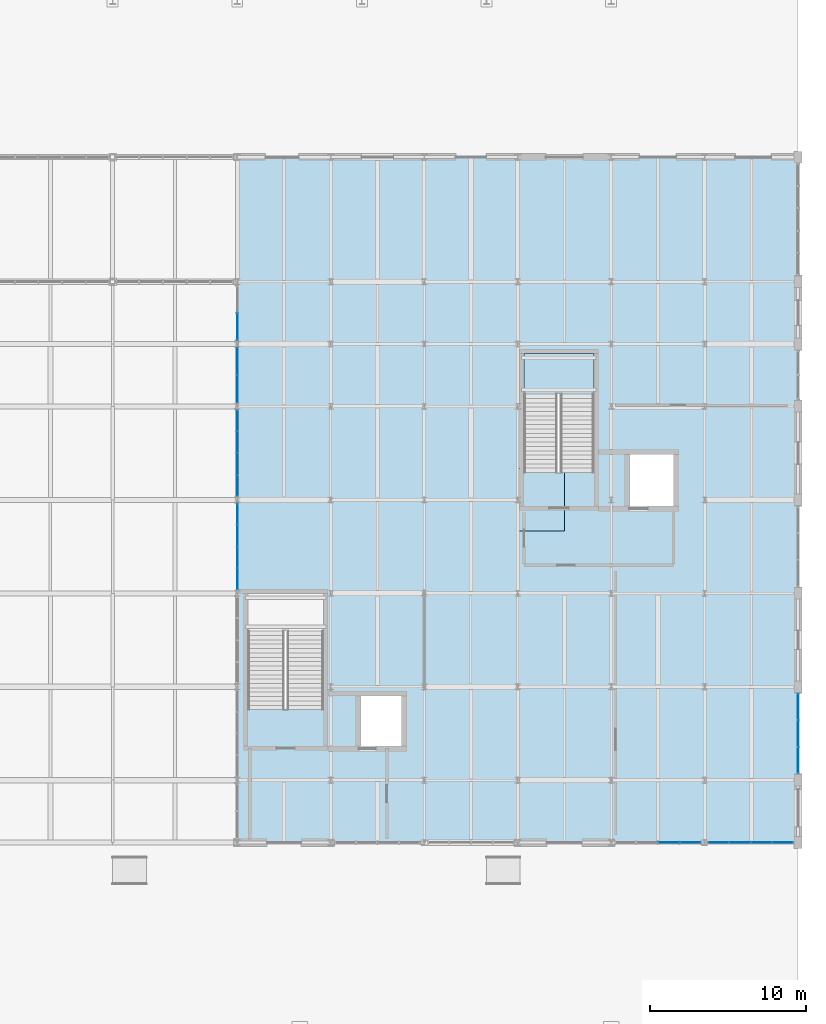
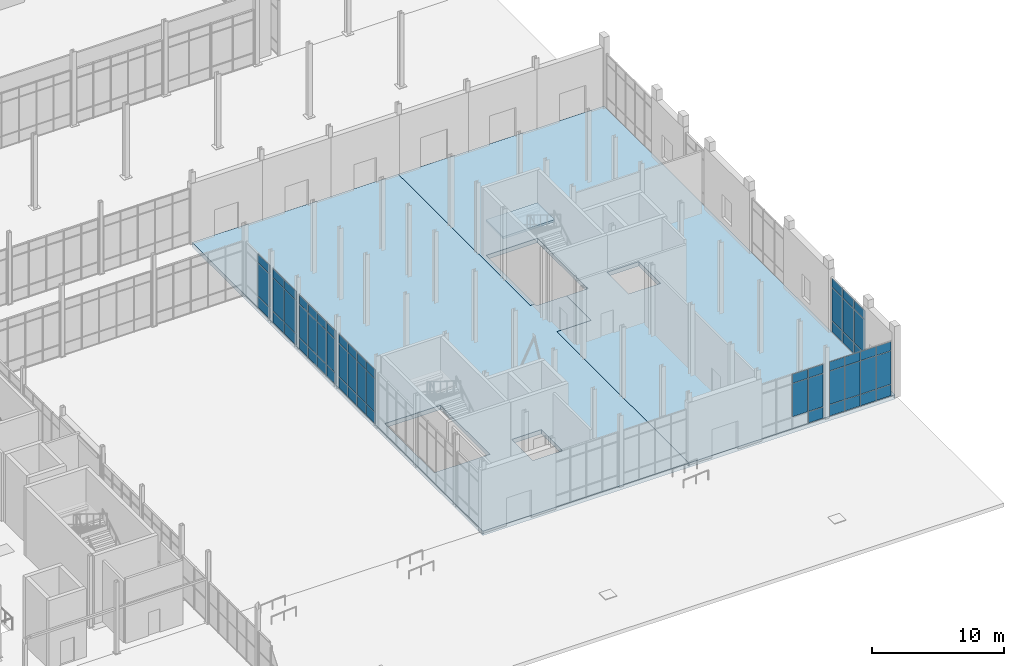
# One storey, part 107 of 140: 59 plates, 3 slabs, 8 elements without a shape of their own.
"""IFC4 building model written with IfcOpenShell, lengths in metres."""

from ifc_helpers import new_model, si_unit, direction, frame, origin, origin_2d, place, context, subcontext, project, spatial, polyline, rectangle, outline, extrude, material, layer, layer_set, type_object, element, aggregate, save


model = new_model("IFC4")

# Units and contexts
model_context = context("Model", 3, precision=1e-05, world=origin(), true_north=direction((0.0, 1.0)))
body_context = subcontext(model_context, "Body", "Model", "MODEL_VIEW")
ifc_project = project(units=[si_unit("LENGTHUNIT", "METRE"), si_unit("AREAUNIT", "SQUARE_METRE"), si_unit("VOLUMEUNIT", "CUBIC_METRE"), si_unit("PLANEANGLEUNIT", "RADIAN"), si_unit("MASSUNIT", "GRAM", prefix="KILO")], contexts=[model_context])

# Site, building, storey
site_placement = place(None, origin())
site = spatial("IfcSite", under=ifc_project, at=site_placement, CompositionType="ELEMENT")
building_placement = place(site_placement, origin())
building = spatial("IfcBuilding", under=site, at=building_placement, Name="Verrall Gate Interchange", CompositionType="ELEMENT")
storey_placement = place(building_placement, origin())
storey = spatial("IfcBuildingStorey", under=building, at=storey_placement, Name="L01", CompositionType="ELEMENT", Elevation=0.0)

# Curtain wall, plates
ifc_material_1 = material(Name="Thermally Broken Anodized Aluminium Curtain Wall Framing", Category="aluminium")
curtain_wall_type_1 = type_object("IfcCurtainWallType", Name="CW-10 Unitized Curtain Wall 5502x5100", PredefinedType="NOTDEFINED", material=ifc_material_1)
curtain_wall_1_placement = place(storey_placement, origin())
curtain_wall_1 = element("IfcCurtainWall", 1, at=curtain_wall_1_placement, inside=storey, type_object=curtain_wall_type_1, Name="L01 Unitized Curtain Wall CW-L01-040", PredefinedType="NOTDEFINED")
ifc_material_2 = material(Name="Triple-Glazed Low-E Argon Insulated Curtain Panel (U=1.45)", Category="glass")
ifc_layer_1 = layer(ifc_material_2, 0.030029296875)
ifc_layer_set_1 = layer_set([ifc_layer_1], Name="Triple-Glazed Low-E Argon Insulated Curtain Panel (U=1.45)")
plate_type_1 = type_object("IfcPlateType", Name="CP-01 Curtain Glazing Panel 30", PredefinedType="CURTAIN_PANEL", material=ifc_layer_set_1)
plate_1_placement = place(storey_placement, frame((162.92041015625, 12.0, 0.0546875), z_axis=(0.0, 0.0, 1.0), x_axis=(1.0, 0.0, 0.0)))
plate_1 = element("IfcPlate", 2, at=plate_1_placement, type_object=plate_type_1, Name="CW-L01-040 Glazing Panel 1.1", PredefinedType="CURTAIN_PANEL", context=body_context, shape_type="SweptSolid", body=[
    extrude(rectangle(XDim=1.298583984375, YDim=0.030029296875, at=origin_2d()), origin(), (0.0, 0.0, 1.0), 1.023193359375),
])
plate_2_placement = place(storey_placement, frame((162.92041015625, 12.0, 1.1220703125), z_axis=(0.0, 0.0, 1.0), x_axis=(1.0, 0.0, 0.0)))
plate_2 = element("IfcPlate", 3, at=plate_2_placement, type_object=plate_type_1, Name="CW-L01-040 Glazing Panel 1.2", PredefinedType="CURTAIN_PANEL", context=body_context, shape_type="SweptSolid", body=[
    extrude(rectangle(XDim=1.298583984375, YDim=0.030029296875, at=origin_2d()), origin(), (0.0, 0.0, 1.0), 3.055908203125),
])
plate_3_placement = place(storey_placement, frame((162.92041015625, 12.0, 4.22216796875), z_axis=(0.0, 0.0, 1.0), x_axis=(1.0, 0.0, 0.0)))
plate_3 = element("IfcPlate", 4, at=plate_3_placement, type_object=plate_type_1, Name="CW-L01-040 Glazing Panel 1.3", PredefinedType="CURTAIN_PANEL", context=body_context, shape_type="SweptSolid", body=[
    extrude(rectangle(XDim=1.298583984375, YDim=0.030029296875, at=origin_2d()), origin(), (0.0, 0.0, 1.0), 0.8232421875),
])
plate_4_placement = place(storey_placement, frame((164.279541015625, 12.0, 0.0546875), z_axis=(0.0, 0.0, 1.0), x_axis=(1.0, 0.0, 0.0)))
plate_4 = element("IfcPlate", 5, at=plate_4_placement, type_object=plate_type_1, Name="CW-L01-040 Glazing Panel 2.1", PredefinedType="CURTAIN_PANEL", context=body_context, shape_type="SweptSolid", body=[
    extrude(rectangle(XDim=1.331298828125, YDim=0.030029296875, at=origin_2d()), origin(), (0.0, 0.0, 1.0), 1.023193359375),
])
plate_5_placement = place(storey_placement, frame((164.279541015625, 12.0, 1.1220703125), z_axis=(0.0, 0.0, 1.0), x_axis=(1.0, 0.0, 0.0)))
plate_5 = element("IfcPlate", 6, at=plate_5_placement, type_object=plate_type_1, Name="CW-L01-040 Glazing Panel 2.2", PredefinedType="CURTAIN_PANEL", context=body_context, shape_type="SweptSolid", body=[
    extrude(rectangle(XDim=1.331298828125, YDim=0.030029296875, at=origin_2d()), origin(), (0.0, 0.0, 1.0), 3.055908203125),
])
plate_6_placement = place(storey_placement, frame((164.279541015625, 12.0, 4.22216796875), z_axis=(0.0, 0.0, 1.0), x_axis=(1.0, 0.0, 0.0)))
plate_6 = element("IfcPlate", 7, at=plate_6_placement, type_object=plate_type_1, Name="CW-L01-040 Glazing Panel 2.3", PredefinedType="CURTAIN_PANEL", context=body_context, shape_type="SweptSolid", body=[
    extrude(rectangle(XDim=1.331298828125, YDim=0.030029296875, at=origin_2d()), origin(), (0.0, 0.0, 1.0), 0.8232421875),
])
plate_7_placement = place(storey_placement, frame((165.65478515625, 12.0, 0.0546875), z_axis=(0.0, 0.0, 1.0), x_axis=(1.0, 0.0, 0.0)))
plate_7 = element("IfcPlate", 8, at=plate_7_placement, type_object=plate_type_1, Name="CW-L01-040 Glazing Panel 3.1", PredefinedType="CURTAIN_PANEL", context=body_context, shape_type="SweptSolid", body=[
    extrude(rectangle(XDim=1.3310546875, YDim=0.030029296875, at=origin_2d()), origin(), (0.0, 0.0, 1.0), 1.023193359375),
])
plate_8_placement = place(storey_placement, frame((165.65478515625, 12.0, 1.1220703125), z_axis=(0.0, 0.0, 1.0), x_axis=(1.0, 0.0, 0.0)))
plate_8 = element("IfcPlate", 9, at=plate_8_placement, type_object=plate_type_1, Name="CW-L01-040 Glazing Panel 3.2", PredefinedType="CURTAIN_PANEL", context=body_context, shape_type="SweptSolid", body=[
    extrude(rectangle(XDim=1.3310546875, YDim=0.030029296875, at=origin_2d()), origin(), (0.0, 0.0, 1.0), 3.055908203125),
])
plate_9_placement = place(storey_placement, frame((165.65478515625, 12.0, 4.22216796875), z_axis=(0.0, 0.0, 1.0), x_axis=(1.0, 0.0, 0.0)))
plate_9 = element("IfcPlate", 10, at=plate_9_placement, type_object=plate_type_1, Name="CW-L01-040 Glazing Panel 3.3", PredefinedType="CURTAIN_PANEL", context=body_context, shape_type="SweptSolid", body=[
    extrude(rectangle(XDim=1.3310546875, YDim=0.030029296875, at=origin_2d()), origin(), (0.0, 0.0, 1.0), 0.8232421875),
])
plate_10_placement = place(storey_placement, frame((167.013916015625, 12.0, 0.0546875), z_axis=(0.0, 0.0, 1.0), x_axis=(1.0, 0.0, 0.0)))
plate_10 = element("IfcPlate", 11, at=plate_10_placement, type_object=plate_type_1, Name="CW-L01-040 Glazing Panel 4.1", PredefinedType="CURTAIN_PANEL", context=body_context, shape_type="SweptSolid", body=[
    extrude(rectangle(XDim=1.298583984375, YDim=0.030029296875, at=origin_2d()), origin(), (0.0, 0.0, 1.0), 1.023193359375),
])
plate_11_placement = place(storey_placement, frame((167.013916015625, 12.0, 1.1220703125), z_axis=(0.0, 0.0, 1.0), x_axis=(1.0, 0.0, 0.0)))
plate_11 = element("IfcPlate", 12, at=plate_11_placement, type_object=plate_type_1, Name="CW-L01-040 Glazing Panel 4.2", PredefinedType="CURTAIN_PANEL", context=body_context, shape_type="SweptSolid", body=[
    extrude(rectangle(XDim=1.298583984375, YDim=0.030029296875, at=origin_2d()), origin(), (0.0, 0.0, 1.0), 3.055908203125),
])
plate_12_placement = place(storey_placement, frame((167.013916015625, 12.0, 4.22216796875), z_axis=(0.0, 0.0, 1.0), x_axis=(1.0, 0.0, 0.0)))
plate_12 = element("IfcPlate", 13, at=plate_12_placement, type_object=plate_type_1, Name="CW-L01-040 Glazing Panel 4.3", PredefinedType="CURTAIN_PANEL", context=body_context, shape_type="SweptSolid", body=[
    extrude(rectangle(XDim=1.298583984375, YDim=0.030029296875, at=origin_2d()), origin(), (0.0, 0.0, 1.0), 0.8232421875),
])
aggregate(curtain_wall_1, [plate_1, plate_2, plate_3, plate_4, plate_5, plate_6, plate_7, plate_8, plate_9, plate_10, plate_11, plate_12])

ifc_material_3 = material(Name="Thermally Broken Anodized Aluminium Curtain Wall Framing", Category="aluminium")
curtain_wall_type_2 = type_object("IfcCurtainWallType", Name="CW-11 Unitized Curtain Wall 5186x5100", PredefinedType="NOTDEFINED", material=ifc_material_3)
curtain_wall_2_placement = place(storey_placement, origin())
curtain_wall_2 = element("IfcCurtainWall", 14, at=curtain_wall_2_placement, inside=storey, type_object=curtain_wall_type_2, Name="L01 Unitized Curtain Wall CW-L01-041", PredefinedType="NOTDEFINED")
plate_13_placement = place(storey_placement, frame((168.0, 17.2900390625, 0.06298828125), z_axis=(0.0, 0.0, 1.0), x_axis=(0.0, 1.0, 0.0)))
plate_13 = element("IfcPlate", 15, at=plate_13_placement, type_object=plate_type_1, Name="CW-L01-041 Glazing Panel 1.1", PredefinedType="CURTAIN_PANEL", context=body_context, shape_type="SweptSolid", body=[
    extrude(rectangle(XDim=1.64013671875, YDim=0.030029296875, at=origin_2d()), origin(), (0.0, 0.0, 1.0), 1.011474609375),
])
plate_14_placement = place(storey_placement, frame((168.0, 17.2900390625, 1.12548828125), z_axis=(0.0, 0.0, 1.0), x_axis=(0.0, 1.0, 0.0)))
plate_14 = element("IfcPlate", 16, at=plate_14_placement, type_object=plate_type_1, Name="CW-L01-041 Glazing Panel 1.2", PredefinedType="CURTAIN_PANEL", context=body_context, shape_type="SweptSolid", body=[
    extrude(rectangle(XDim=1.64013671875, YDim=0.030029296875, at=origin_2d()), origin(), (0.0, 0.0, 1.0), 3.049072265625),
])
plate_15_placement = place(storey_placement, frame((168.0, 17.2900390625, 4.225341796875), z_axis=(0.0, 0.0, 1.0), x_axis=(0.0, 1.0, 0.0)))
plate_15 = element("IfcPlate", 17, at=plate_15_placement, type_object=plate_type_1, Name="CW-L01-041 Glazing Panel 1.3", PredefinedType="CURTAIN_PANEL", context=body_context, shape_type="SweptSolid", body=[
    extrude(rectangle(XDim=1.64013671875, YDim=0.030029296875, at=origin_2d()), origin(), (0.0, 0.0, 1.0), 0.8115234375),
])
plate_16_placement = place(storey_placement, frame((168.0, 19.0, 0.06298828125), z_axis=(0.0, 0.0, 1.0), x_axis=(0.0, 1.0, 0.0)))
plate_16 = element("IfcPlate", 18, at=plate_16_placement, type_object=plate_type_1, Name="CW-L01-041 Glazing Panel 2.1", PredefinedType="CURTAIN_PANEL", context=body_context, shape_type="SweptSolid", body=[
    extrude(rectangle(XDim=1.677490234375, YDim=0.030029296875, at=origin_2d()), origin(), (0.0, 0.0, 1.0), 1.011474609375),
])
plate_17_placement = place(storey_placement, frame((168.0, 19.0, 1.12548828125), z_axis=(0.0, 0.0, 1.0), x_axis=(0.0, 1.0, 0.0)))
plate_17 = element("IfcPlate", 19, at=plate_17_placement, type_object=plate_type_1, Name="CW-L01-041 Glazing Panel 2.2", PredefinedType="CURTAIN_PANEL", context=body_context, shape_type="SweptSolid", body=[
    extrude(rectangle(XDim=1.677490234375, YDim=0.030029296875, at=origin_2d()), origin(), (0.0, 0.0, 1.0), 3.049072265625),
])
plate_18_placement = place(storey_placement, frame((168.0, 19.0, 4.225341796875), z_axis=(0.0, 0.0, 1.0), x_axis=(0.0, 1.0, 0.0)))
plate_18 = element("IfcPlate", 20, at=plate_18_placement, type_object=plate_type_1, Name="CW-L01-041 Glazing Panel 2.3", PredefinedType="CURTAIN_PANEL", context=body_context, shape_type="SweptSolid", body=[
    extrude(rectangle(XDim=1.677490234375, YDim=0.030029296875, at=origin_2d()), origin(), (0.0, 0.0, 1.0), 0.8115234375),
])
plate_19_placement = place(storey_placement, frame((168.0, 20.7099609375, 0.06298828125), z_axis=(0.0, 0.0, 1.0), x_axis=(0.0, 1.0, 0.0)))
plate_19 = element("IfcPlate", 21, at=plate_19_placement, type_object=plate_type_1, Name="CW-L01-041 Glazing Panel 3.1", PredefinedType="CURTAIN_PANEL", context=body_context, shape_type="SweptSolid", body=[
    extrude(rectangle(XDim=1.64013671875, YDim=0.030029296875, at=origin_2d()), origin(), (0.0, 0.0, 1.0), 1.011474609375),
])
plate_20_placement = place(storey_placement, frame((168.0, 20.7099609375, 1.12548828125), z_axis=(0.0, 0.0, 1.0), x_axis=(0.0, 1.0, 0.0)))
plate_20 = element("IfcPlate", 22, at=plate_20_placement, type_object=plate_type_1, Name="CW-L01-041 Glazing Panel 3.2", PredefinedType="CURTAIN_PANEL", context=body_context, shape_type="SweptSolid", body=[
    extrude(rectangle(XDim=1.64013671875, YDim=0.030029296875, at=origin_2d()), origin(), (0.0, 0.0, 1.0), 3.049072265625),
])
plate_21_placement = place(storey_placement, frame((168.0, 20.7099609375, 4.225341796875), z_axis=(0.0, 0.0, 1.0), x_axis=(0.0, 1.0, 0.0)))
plate_21 = element("IfcPlate", 23, at=plate_21_placement, type_object=plate_type_1, Name="CW-L01-041 Glazing Panel 3.3", PredefinedType="CURTAIN_PANEL", context=body_context, shape_type="SweptSolid", body=[
    extrude(rectangle(XDim=1.64013671875, YDim=0.030029296875, at=origin_2d()), origin(), (0.0, 0.0, 1.0), 0.8115234375),
])
aggregate(curtain_wall_2, [plate_13, plate_14, plate_15, plate_16, plate_17, plate_18, plate_19, plate_20, plate_21])

ifc_material_4 = material(Name="Thermally Broken Anodized Aluminium Curtain Wall Framing", Category="aluminium")
curtain_wall_type_3 = type_object("IfcCurtainWallType", Name="CW-05 Unitized Curtain Wall 3631x5100", PredefinedType="NOTDEFINED", material=ifc_material_4)
curtain_wall_3_placement = place(storey_placement, origin())
curtain_wall_3 = element("IfcCurtainWall", 24, at=curtain_wall_3_placement, inside=storey, type_object=curtain_wall_type_3, Name="L01 Unitized Curtain Wall CW-L01-045", PredefinedType="NOTDEFINED")
plate_22_placement = place(storey_placement, frame((132.0, 45.123779296875, 0.06298828125), z_axis=(0.0, 0.0, 1.0), x_axis=(0.0, -1.0, 0.0)))
plate_22 = element("IfcPlate", 25, at=plate_22_placement, type_object=plate_type_1, Name="CW-L01-045 Glazing Panel 2.1", PredefinedType="CURTAIN_PANEL", context=body_context, shape_type="SweptSolid", body=[
    extrude(rectangle(XDim=1.701416015625, YDim=0.030029296875, at=origin_2d()), origin(), (0.0, 0.0, 1.0), 1.011474609375),
])
plate_23_placement = place(storey_placement, frame((132.0, 45.123779296875, 1.12548828125), z_axis=(0.0, 0.0, 1.0), x_axis=(0.0, -1.0, 0.0)))
plate_23 = element("IfcPlate", 26, at=plate_23_placement, type_object=plate_type_1, Name="CW-L01-045 Glazing Panel 2.2", PredefinedType="CURTAIN_PANEL", context=body_context, shape_type="SweptSolid", body=[
    extrude(rectangle(XDim=1.701416015625, YDim=0.030029296875, at=origin_2d()), origin(), (0.0, 0.0, 1.0), 3.049072265625),
])
plate_24_placement = place(storey_placement, frame((132.0, 45.123779296875, 4.225341796875), z_axis=(0.0, 0.0, 1.0), x_axis=(0.0, -1.0, 0.0)))
plate_24 = element("IfcPlate", 27, at=plate_24_placement, type_object=plate_type_1, Name="CW-L01-045 Glazing Panel 2.3", PredefinedType="CURTAIN_PANEL", context=body_context, shape_type="SweptSolid", body=[
    extrude(rectangle(XDim=1.701416015625, YDim=0.030029296875, at=origin_2d()), origin(), (0.0, 0.0, 1.0), 0.8115234375),
])
aggregate(curtain_wall_3, [plate_22, plate_23, plate_24])

ifc_material_5 = material(Name="Thermally Broken Anodized Aluminium Curtain Wall Framing", Category="aluminium")
curtain_wall_type_4 = type_object("IfcCurtainWallType", Name="CW-04 Unitized Curtain Wall 5631x5100", PredefinedType="NOTDEFINED", material=ifc_material_5)
curtain_wall_4_placement = place(storey_placement, origin())
curtain_wall_4 = element("IfcCurtainWall", 28, at=curtain_wall_4_placement, inside=storey, type_object=curtain_wall_type_4, Name="L01 Unitized Curtain Wall CW-L01-048", PredefinedType="NOTDEFINED")
plate_25_placement = place(storey_placement, frame((132.0, 33.076416015625, 0.0546875), z_axis=(0.0, 0.0, 1.0), x_axis=(0.0, -1.0, 0.0)))
plate_25 = element("IfcPlate", 29, at=plate_25_placement, type_object=plate_type_1, Name="CW-L01-048 Glazing Panel 1.1", PredefinedType="CURTAIN_PANEL", context=body_context, shape_type="SweptSolid", body=[
    extrude(rectangle(XDim=1.318359375, YDim=0.030029296875, at=origin_2d()), origin(), (0.0, 0.0, 1.0), 1.023193359375),
])
plate_26_placement = place(storey_placement, frame((132.0, 33.076416015625, 1.1220703125), z_axis=(0.0, 0.0, 1.0), x_axis=(0.0, -1.0, 0.0)))
plate_26 = element("IfcPlate", 30, at=plate_26_placement, type_object=plate_type_1, Name="CW-L01-048 Glazing Panel 1.2", PredefinedType="CURTAIN_PANEL", context=body_context, shape_type="SweptSolid", body=[
    extrude(rectangle(XDim=1.318359375, YDim=0.030029296875, at=origin_2d()), origin(), (0.0, 0.0, 1.0), 3.055908203125),
])
plate_27_placement = place(storey_placement, frame((132.0, 33.076416015625, 4.22216796875), z_axis=(0.0, 0.0, 1.0), x_axis=(0.0, -1.0, 0.0)))
plate_27 = element("IfcPlate", 31, at=plate_27_placement, type_object=plate_type_1, Name="CW-L01-048 Glazing Panel 1.3", PredefinedType="CURTAIN_PANEL", context=body_context, shape_type="SweptSolid", body=[
    extrude(rectangle(XDim=1.318359375, YDim=0.030029296875, at=origin_2d()), origin(), (0.0, 0.0, 1.0), 0.8232421875),
])
plate_28_placement = place(storey_placement, frame((132.0, 31.697509765625, 0.0546875), z_axis=(0.0, 0.0, 1.0), x_axis=(0.0, -1.0, 0.0)))
plate_28 = element("IfcPlate", 32, at=plate_28_placement, type_object=plate_type_1, Name="CW-L01-048 Glazing Panel 2.1", PredefinedType="CURTAIN_PANEL", context=body_context, shape_type="SweptSolid", body=[
    extrude(rectangle(XDim=1.350830078125, YDim=0.030029296875, at=origin_2d()), origin(), (0.0, 0.0, 1.0), 1.023193359375),
])
plate_29_placement = place(storey_placement, frame((132.0, 31.697509765625, 1.1220703125), z_axis=(0.0, 0.0, 1.0), x_axis=(0.0, -1.0, 0.0)))
plate_29 = element("IfcPlate", 33, at=plate_29_placement, type_object=plate_type_1, Name="CW-L01-048 Glazing Panel 2.2", PredefinedType="CURTAIN_PANEL", context=body_context, shape_type="SweptSolid", body=[
    extrude(rectangle(XDim=1.350830078125, YDim=0.030029296875, at=origin_2d()), origin(), (0.0, 0.0, 1.0), 3.055908203125),
])
plate_30_placement = place(storey_placement, frame((132.0, 31.697509765625, 4.22216796875), z_axis=(0.0, 0.0, 1.0), x_axis=(0.0, -1.0, 0.0)))
plate_30 = element("IfcPlate", 34, at=plate_30_placement, type_object=plate_type_1, Name="CW-L01-048 Glazing Panel 2.3", PredefinedType="CURTAIN_PANEL", context=body_context, shape_type="SweptSolid", body=[
    extrude(rectangle(XDim=1.350830078125, YDim=0.030029296875, at=origin_2d()), origin(), (0.0, 0.0, 1.0), 0.8232421875),
])
plate_31_placement = place(storey_placement, frame((132.0, 30.302490234375, 0.0546875), z_axis=(0.0, 0.0, 1.0), x_axis=(0.0, -1.0, 0.0)))
plate_31 = element("IfcPlate", 35, at=plate_31_placement, type_object=plate_type_1, Name="CW-L01-048 Glazing Panel 3.1", PredefinedType="CURTAIN_PANEL", context=body_context, shape_type="SweptSolid", body=[
    extrude(rectangle(XDim=1.350830078125, YDim=0.030029296875, at=origin_2d()), origin(), (0.0, 0.0, 1.0), 1.023193359375),
])
plate_32_placement = place(storey_placement, frame((132.0, 30.302490234375, 1.1220703125), z_axis=(0.0, 0.0, 1.0), x_axis=(0.0, -1.0, 0.0)))
plate_32 = element("IfcPlate", 36, at=plate_32_placement, type_object=plate_type_1, Name="CW-L01-048 Glazing Panel 3.2", PredefinedType="CURTAIN_PANEL", context=body_context, shape_type="SweptSolid", body=[
    extrude(rectangle(XDim=1.350830078125, YDim=0.030029296875, at=origin_2d()), origin(), (0.0, 0.0, 1.0), 3.055908203125),
])
plate_33_placement = place(storey_placement, frame((132.0, 30.302490234375, 4.22216796875), z_axis=(0.0, 0.0, 1.0), x_axis=(0.0, -1.0, 0.0)))
plate_33 = element("IfcPlate", 37, at=plate_33_placement, type_object=plate_type_1, Name="CW-L01-048 Glazing Panel 3.3", PredefinedType="CURTAIN_PANEL", context=body_context, shape_type="SweptSolid", body=[
    extrude(rectangle(XDim=1.350830078125, YDim=0.030029296875, at=origin_2d()), origin(), (0.0, 0.0, 1.0), 0.8232421875),
])
plate_34_placement = place(storey_placement, frame((132.0, 28.923583984375, 0.0546875), z_axis=(0.0, 0.0, 1.0), x_axis=(0.0, -1.0, 0.0)))
plate_34 = element("IfcPlate", 38, at=plate_34_placement, type_object=plate_type_1, Name="CW-L01-048 Glazing Panel 4.1", PredefinedType="CURTAIN_PANEL", context=body_context, shape_type="SweptSolid", body=[
    extrude(rectangle(XDim=1.318359375, YDim=0.030029296875, at=origin_2d()), origin(), (0.0, 0.0, 1.0), 1.023193359375),
])
plate_35_placement = place(storey_placement, frame((132.0, 28.923583984375, 1.1220703125), z_axis=(0.0, 0.0, 1.0), x_axis=(0.0, -1.0, 0.0)))
plate_35 = element("IfcPlate", 39, at=plate_35_placement, type_object=plate_type_1, Name="CW-L01-048 Glazing Panel 4.2", PredefinedType="CURTAIN_PANEL", context=body_context, shape_type="SweptSolid", body=[
    extrude(rectangle(XDim=1.318359375, YDim=0.030029296875, at=origin_2d()), origin(), (0.0, 0.0, 1.0), 3.055908203125),
])
plate_36_placement = place(storey_placement, frame((132.0, 28.923583984375, 4.22216796875), z_axis=(0.0, 0.0, 1.0), x_axis=(0.0, -1.0, 0.0)))
plate_36 = element("IfcPlate", 40, at=plate_36_placement, type_object=plate_type_1, Name="CW-L01-048 Glazing Panel 4.3", PredefinedType="CURTAIN_PANEL", context=body_context, shape_type="SweptSolid", body=[
    extrude(rectangle(XDim=1.318359375, YDim=0.030029296875, at=origin_2d()), origin(), (0.0, 0.0, 1.0), 0.8232421875),
])
aggregate(curtain_wall_4, [plate_25, plate_26, plate_27, plate_28, plate_29, plate_30, plate_31, plate_32, plate_33, plate_34, plate_35, plate_36])

curtain_wall_5_placement = place(storey_placement, origin())
curtain_wall_5 = element("IfcCurtainWall", 41, at=curtain_wall_5_placement, inside=storey, type_object=curtain_wall_type_4, Name="L01 Unitized Curtain Wall CW-L01-039", PredefinedType="NOTDEFINED")
ifc_material_6 = material(Name="Triple-Glazed Low-E Argon Insulated Curtain Panel (U=1.45)", Category="glass")
ifc_layer_2 = layer(ifc_material_6, 0.0400390625)
ifc_layer_set_2 = layer_set([ifc_layer_2], Name="Triple-Glazed Low-E Argon Insulated Curtain Panel (U=1.45)")
plate_type_2 = type_object("IfcPlateType", Name="CP-02 Curtain Glazing Panel 40", PredefinedType="CURTAIN_PANEL", material=ifc_layer_set_2)
plate_37_placement = place(storey_placement, frame((159.69580078125, 12.0, 1.12548828125), z_axis=(0.0, 0.0, 1.0), x_axis=(1.0, 0.0, 0.0)))
plate_37 = element("IfcPlate", 42, at=plate_37_placement, type_object=plate_type_2, Name="CW-L01-039 Glazing Panel 3.2", PredefinedType="CURTAIN_PANEL", context=body_context, shape_type="SweptSolid", body=[
    extrude(rectangle(XDim=1.3408203125, YDim=0.0400390625, at=origin_2d()), origin(), (0.0, 0.0, 1.0), 3.049072265625),
])
plate_38_placement = place(storey_placement, frame((159.69580078125, 12.0, 4.225341796875), z_axis=(0.0, 0.0, 1.0), x_axis=(1.0, 0.0, 0.0)))
plate_38 = element("IfcPlate", 43, at=plate_38_placement, type_object=plate_type_2, Name="CW-L01-039 Glazing Panel 3.3", PredefinedType="CURTAIN_PANEL", context=body_context, shape_type="SweptSolid", body=[
    extrude(rectangle(XDim=1.3408203125, YDim=0.0400390625, at=origin_2d()), origin(), (0.0, 0.0, 1.0), 0.8115234375),
])
plate_39_placement = place(storey_placement, frame((161.06884765625, 12.0, 0.06298828125), z_axis=(0.0, 0.0, 1.0), x_axis=(1.0, 0.0, 0.0)))
plate_39 = element("IfcPlate", 44, at=plate_39_placement, type_object=plate_type_2, Name="CW-L01-039 Glazing Panel 4.1", PredefinedType="CURTAIN_PANEL", context=body_context, shape_type="SweptSolid", body=[
    extrude(rectangle(XDim=1.30322265625, YDim=0.0400390625, at=origin_2d()), origin(), (0.0, 0.0, 1.0), 1.011474609375),
])
plate_40_placement = place(storey_placement, frame((161.06884765625, 12.0, 1.12548828125), z_axis=(0.0, 0.0, 1.0), x_axis=(1.0, 0.0, 0.0)))
plate_40 = element("IfcPlate", 45, at=plate_40_placement, type_object=plate_type_2, Name="CW-L01-039 Glazing Panel 4.2", PredefinedType="CURTAIN_PANEL", context=body_context, shape_type="SweptSolid", body=[
    extrude(rectangle(XDim=1.30322265625, YDim=0.0400390625, at=origin_2d()), origin(), (0.0, 0.0, 1.0), 3.049072265625),
])
plate_41_placement = place(storey_placement, frame((161.06884765625, 12.0, 4.225341796875), z_axis=(0.0, 0.0, 1.0), x_axis=(1.0, 0.0, 0.0)))
plate_41 = element("IfcPlate", 46, at=plate_41_placement, type_object=plate_type_2, Name="CW-L01-039 Glazing Panel 4.3", PredefinedType="CURTAIN_PANEL", context=body_context, shape_type="SweptSolid", body=[
    extrude(rectangle(XDim=1.30322265625, YDim=0.0400390625, at=origin_2d()), origin(), (0.0, 0.0, 1.0), 0.8115234375),
])
aggregate(curtain_wall_5, [plate_37, plate_38, plate_39, plate_40, plate_41])

curtain_wall_6_placement = place(storey_placement, origin())
curtain_wall_6 = element("IfcCurtainWall", 47, at=curtain_wall_6_placement, inside=storey, type_object=curtain_wall_type_3, Name="L01 Unitized Curtain Wall CW-L01-046", PredefinedType="NOTDEFINED")
plate_42_placement = place(storey_placement, frame((132.0, 42.878662109375, 0.0546875), z_axis=(0.0, 0.0, 1.0), x_axis=(0.0, -1.0, 0.0)))
plate_42 = element("IfcPlate", 48, at=plate_42_placement, type_object=plate_type_2, Name="CW-L01-046 Glazing Panel 1.1", PredefinedType="CURTAIN_PANEL", context=body_context, shape_type="SweptSolid", body=[
    extrude(rectangle(XDim=1.71337890625, YDim=0.0400390625, at=origin_2d()), origin(), (0.0, 0.0, 1.0), 1.023193359375),
])
plate_43_placement = place(storey_placement, frame((132.0, 42.878662109375, 1.1220703125), z_axis=(0.0, 0.0, 1.0), x_axis=(0.0, -1.0, 0.0)))
plate_43 = element("IfcPlate", 49, at=plate_43_placement, type_object=plate_type_2, Name="CW-L01-046 Glazing Panel 1.2", PredefinedType="CURTAIN_PANEL", context=body_context, shape_type="SweptSolid", body=[
    extrude(rectangle(XDim=1.71337890625, YDim=0.0400390625, at=origin_2d()), origin(), (0.0, 0.0, 1.0), 3.055908203125),
])
plate_44_placement = place(storey_placement, frame((132.0, 42.878662109375, 4.22216796875), z_axis=(0.0, 0.0, 1.0), x_axis=(0.0, -1.0, 0.0)))
plate_44 = element("IfcPlate", 50, at=plate_44_placement, type_object=plate_type_2, Name="CW-L01-046 Glazing Panel 1.3", PredefinedType="CURTAIN_PANEL", context=body_context, shape_type="SweptSolid", body=[
    extrude(rectangle(XDim=1.71337890625, YDim=0.0400390625, at=origin_2d()), origin(), (0.0, 0.0, 1.0), 0.8232421875),
])
plate_45_placement = place(storey_placement, frame((132.0, 41.12109375, 0.0546875), z_axis=(0.0, 0.0, 1.0), x_axis=(0.0, -1.0, 0.0)))
plate_45 = element("IfcPlate", 51, at=plate_45_placement, type_object=plate_type_2, Name="CW-L01-046 Glazing Panel 2.1", PredefinedType="CURTAIN_PANEL", context=body_context, shape_type="SweptSolid", body=[
    extrude(rectangle(XDim=1.71337890625, YDim=0.0400390625, at=origin_2d()), origin(), (0.0, 0.0, 1.0), 1.023193359375),
])
plate_46_placement = place(storey_placement, frame((132.0, 41.12109375, 1.1220703125), z_axis=(0.0, 0.0, 1.0), x_axis=(0.0, -1.0, 0.0)))
plate_46 = element("IfcPlate", 52, at=plate_46_placement, type_object=plate_type_2, Name="CW-L01-046 Glazing Panel 2.2", PredefinedType="CURTAIN_PANEL", context=body_context, shape_type="SweptSolid", body=[
    extrude(rectangle(XDim=1.71337890625, YDim=0.0400390625, at=origin_2d()), origin(), (0.0, 0.0, 1.0), 3.055908203125),
])
plate_47_placement = place(storey_placement, frame((132.0, 41.12109375, 4.22216796875), z_axis=(0.0, 0.0, 1.0), x_axis=(0.0, -1.0, 0.0)))
plate_47 = element("IfcPlate", 53, at=plate_47_placement, type_object=plate_type_2, Name="CW-L01-046 Glazing Panel 2.3", PredefinedType="CURTAIN_PANEL", context=body_context, shape_type="SweptSolid", body=[
    extrude(rectangle(XDim=1.71337890625, YDim=0.0400390625, at=origin_2d()), origin(), (0.0, 0.0, 1.0), 0.8232421875),
])
aggregate(curtain_wall_6, [plate_42, plate_43, plate_44, plate_45, plate_46, plate_47])

curtain_wall_7_placement = place(storey_placement, origin())
curtain_wall_7 = element("IfcCurtainWall", 54, at=curtain_wall_7_placement, inside=storey, type_object=curtain_wall_type_4, Name="L01 Unitized Curtain Wall CW-L01-047", PredefinedType="NOTDEFINED")
plate_48_placement = place(storey_placement, frame((132.0, 39.07373046875, 0.06298828125), z_axis=(0.0, 0.0, 1.0), x_axis=(0.0, -1.0, 0.0)))
plate_48 = element("IfcPlate", 55, at=plate_48_placement, type_object=plate_type_2, Name="CW-L01-047 Glazing Panel 1.1", PredefinedType="CURTAIN_PANEL", context=body_context, shape_type="SweptSolid", body=[
    extrude(rectangle(XDim=1.306396484375, YDim=0.0400390625, at=origin_2d()), origin(), (0.0, 0.0, 1.0), 1.011474609375),
])
plate_49_placement = place(storey_placement, frame((132.0, 39.07373046875, 1.12548828125), z_axis=(0.0, 0.0, 1.0), x_axis=(0.0, -1.0, 0.0)))
plate_49 = element("IfcPlate", 56, at=plate_49_placement, type_object=plate_type_2, Name="CW-L01-047 Glazing Panel 1.2", PredefinedType="CURTAIN_PANEL", context=body_context, shape_type="SweptSolid", body=[
    extrude(rectangle(XDim=1.306396484375, YDim=0.0400390625, at=origin_2d()), origin(), (0.0, 0.0, 1.0), 3.049072265625),
])
plate_50_placement = place(storey_placement, frame((132.0, 39.07373046875, 4.225341796875), z_axis=(0.0, 0.0, 1.0), x_axis=(0.0, -1.0, 0.0)))
plate_50 = element("IfcPlate", 57, at=plate_50_placement, type_object=plate_type_2, Name="CW-L01-047 Glazing Panel 1.3", PredefinedType="CURTAIN_PANEL", context=body_context, shape_type="SweptSolid", body=[
    extrude(rectangle(XDim=1.306396484375, YDim=0.0400390625, at=origin_2d()), origin(), (0.0, 0.0, 1.0), 0.8115234375),
])
plate_51_placement = place(storey_placement, frame((132.0, 37.697509765625, 0.06298828125), z_axis=(0.0, 0.0, 1.0), x_axis=(0.0, -1.0, 0.0)))
plate_51 = element("IfcPlate", 58, at=plate_51_placement, type_object=plate_type_2, Name="CW-L01-047 Glazing Panel 2.1", PredefinedType="CURTAIN_PANEL", context=body_context, shape_type="SweptSolid", body=[
    extrude(rectangle(XDim=1.343994140625, YDim=0.0400390625, at=origin_2d()), origin(), (0.0, 0.0, 1.0), 1.011474609375),
])
plate_52_placement = place(storey_placement, frame((132.0, 37.697509765625, 1.12548828125), z_axis=(0.0, 0.0, 1.0), x_axis=(0.0, -1.0, 0.0)))
plate_52 = element("IfcPlate", 59, at=plate_52_placement, type_object=plate_type_2, Name="CW-L01-047 Glazing Panel 2.2", PredefinedType="CURTAIN_PANEL", context=body_context, shape_type="SweptSolid", body=[
    extrude(rectangle(XDim=1.343994140625, YDim=0.0400390625, at=origin_2d()), origin(), (0.0, 0.0, 1.0), 3.049072265625),
])
plate_53_placement = place(storey_placement, frame((132.0, 37.697509765625, 4.225341796875), z_axis=(0.0, 0.0, 1.0), x_axis=(0.0, -1.0, 0.0)))
plate_53 = element("IfcPlate", 60, at=plate_53_placement, type_object=plate_type_2, Name="CW-L01-047 Glazing Panel 2.3", PredefinedType="CURTAIN_PANEL", context=body_context, shape_type="SweptSolid", body=[
    extrude(rectangle(XDim=1.343994140625, YDim=0.0400390625, at=origin_2d()), origin(), (0.0, 0.0, 1.0), 0.8115234375),
])
plate_54_placement = place(storey_placement, frame((132.0, 36.302490234375, 0.06298828125), z_axis=(0.0, 0.0, 1.0), x_axis=(0.0, -1.0, 0.0)))
plate_54 = element("IfcPlate", 61, at=plate_54_placement, type_object=plate_type_2, Name="CW-L01-047 Glazing Panel 3.1", PredefinedType="CURTAIN_PANEL", context=body_context, shape_type="SweptSolid", body=[
    extrude(rectangle(XDim=1.343994140625, YDim=0.0400390625, at=origin_2d()), origin(), (0.0, 0.0, 1.0), 1.011474609375),
])
plate_55_placement = place(storey_placement, frame((132.0, 36.302490234375, 1.12548828125), z_axis=(0.0, 0.0, 1.0), x_axis=(0.0, -1.0, 0.0)))
plate_55 = element("IfcPlate", 62, at=plate_55_placement, type_object=plate_type_2, Name="CW-L01-047 Glazing Panel 3.2", PredefinedType="CURTAIN_PANEL", context=body_context, shape_type="SweptSolid", body=[
    extrude(rectangle(XDim=1.343994140625, YDim=0.0400390625, at=origin_2d()), origin(), (0.0, 0.0, 1.0), 3.049072265625),
])
plate_56_placement = place(storey_placement, frame((132.0, 36.302490234375, 4.225341796875), z_axis=(0.0, 0.0, 1.0), x_axis=(0.0, -1.0, 0.0)))
plate_56 = element("IfcPlate", 63, at=plate_56_placement, type_object=plate_type_2, Name="CW-L01-047 Glazing Panel 3.3", PredefinedType="CURTAIN_PANEL", context=body_context, shape_type="SweptSolid", body=[
    extrude(rectangle(XDim=1.343994140625, YDim=0.0400390625, at=origin_2d()), origin(), (0.0, 0.0, 1.0), 0.8115234375),
])
plate_57_placement = place(storey_placement, frame((132.0, 34.92626953125, 0.06298828125), z_axis=(0.0, 0.0, 1.0), x_axis=(0.0, -1.0, 0.0)))
plate_57 = element("IfcPlate", 64, at=plate_57_placement, type_object=plate_type_2, Name="CW-L01-047 Glazing Panel 4.1", PredefinedType="CURTAIN_PANEL", context=body_context, shape_type="SweptSolid", body=[
    extrude(rectangle(XDim=1.306396484375, YDim=0.0400390625, at=origin_2d()), origin(), (0.0, 0.0, 1.0), 1.011474609375),
])
plate_58_placement = place(storey_placement, frame((132.0, 34.92626953125, 1.12548828125), z_axis=(0.0, 0.0, 1.0), x_axis=(0.0, -1.0, 0.0)))
plate_58 = element("IfcPlate", 65, at=plate_58_placement, type_object=plate_type_2, Name="CW-L01-047 Glazing Panel 4.2", PredefinedType="CURTAIN_PANEL", context=body_context, shape_type="SweptSolid", body=[
    extrude(rectangle(XDim=1.306396484375, YDim=0.0400390625, at=origin_2d()), origin(), (0.0, 0.0, 1.0), 3.049072265625),
])
plate_59_placement = place(storey_placement, frame((132.0, 34.92626953125, 4.225341796875), z_axis=(0.0, 0.0, 1.0), x_axis=(0.0, -1.0, 0.0)))
plate_59 = element("IfcPlate", 66, at=plate_59_placement, type_object=plate_type_2, Name="CW-L01-047 Glazing Panel 4.3", PredefinedType="CURTAIN_PANEL", context=body_context, shape_type="SweptSolid", body=[
    extrude(rectangle(XDim=1.306396484375, YDim=0.0400390625, at=origin_2d()), origin(), (0.0, 0.0, 1.0), 0.8115234375),
])
aggregate(curtain_wall_7, [plate_48, plate_49, plate_50, plate_51, plate_52, plate_53, plate_54, plate_55, plate_56, plate_57, plate_58, plate_59])

# Slabs
ifc_material_7 = material(Name="Concrete CSA A23.1 40 MPa (Class C-1)", Category="concrete")
ifc_layer_3 = layer(ifc_material_7, 0.39990234375)
ifc_layer_set_3 = layer_set([ifc_layer_3], Name="Concrete CSA A23.1 40 MPa (Class C-1)")
slab_type_1 = type_object("IfcSlabType", Name="FS-04 Floor Slab 400", PredefinedType="FLOOR", material=ifc_layer_set_3)
slab_1_placement = place(storey_placement, frame((0.0, 0.0, -0.39990234375)))
element("IfcSlab", 67, at=slab_1_placement, inside=storey, type_object=slab_type_1, Name="L01 Structural Slab SLB-L01-15", PredefinedType="FLOOR", context=body_context, shape_type="SweptSolid", body=[
    extrude(outline(polyline([(132.0, 48.0), (132.0, 56.0), (150.0, 56.0), (150.0, 36.0), (150.39990234375, 36.0), (150.39990234375, 35.75), (153.0, 35.75), (153.0, 32.0), (150.0, 32.0), (150.0, 12.0), (132.0, 12.0), (132.0, 48.0)]), holes=[polyline([(139.93994140625, 21.39990234375), (139.93994140625, 18.199951171875), (142.5400390625, 18.199951171875), (142.5400390625, 21.39990234375), (139.93994140625, 21.39990234375)]), polyline([(132.679931640625, 28.0), (132.679931640625, 20.530029296875), (137.5400390625, 20.530029296875), (137.5400390625, 28.0), (132.679931640625, 28.0)])]), origin(), (0.0, 0.0, 1.0), 0.39990234375),
])
slab_2_placement = place(storey_placement, frame((0.0, 0.0, -0.39990234375)))
element("IfcSlab", 68, at=slab_2_placement, inside=storey, type_object=slab_type_1, Name="L01 Structural Slab SLB-L01-16", PredefinedType="FLOOR", context=body_context, shape_type="SweptSolid", body=[
    extrude(outline(polyline([(168.0, 12.0), (150.0, 12.0), (150.0, 32.0), (153.0, 32.0), (153.0, 35.75), (154.89990234375, 35.75), (154.89990234375, 43.39990234375), (150.39990234375, 43.39990234375), (150.39990234375, 36.0), (150.0, 36.0), (150.0, 56.0), (168.0, 56.0), (168.0, 12.0)]), holes=[polyline([(157.199951171875, 36.89990234375), (157.199951171875, 33.60009765625), (160.0, 33.60009765625), (160.0, 36.89990234375), (157.199951171875, 36.89990234375)])]), origin(), (0.0, 0.0, 1.0), 0.39990234375),
])

# Stair, slab
ifc_material_8 = material(Name="Concrete CSA A23.1 40 MPa (Class N)", Category="concrete")
stair_type = type_object("IfcStairType", Name="ST-T09 Straight-Flight Return Exit Stair W2150 H6600", PredefinedType="STRAIGHT_RUN_STAIR", material=ifc_material_8)
stair_placement = place(storey_placement, origin())
stair = element("IfcStair", 69, at=stair_placement, inside=storey, type_object=stair_type, Name="L01 ST-09", PredefinedType="STRAIGHT_RUN_STAIR")
ifc_material_9 = material(Name="Concrete CSA A23.1 40 MPa (Class N)", Category="concrete")
ifc_layer_4 = layer(ifc_material_9, 0.18994140625)
ifc_layer_set_4 = layer_set([ifc_layer_4], Name="Concrete CSA A23.1 40 MPa (Class N)")
slab_type_2 = type_object("IfcSlabType", Name="LS-01 Stair Landing Slab 190", PredefinedType="LANDING", material=ifc_layer_set_4)
slab_3_placement = place(storey_placement, frame((0.0, 0.0, 3.10009765625)))
slab_3 = element("IfcSlab", 70, at=slab_3_placement, type_object=slab_type_2, Name="ST-09 landing 1", PredefinedType="LANDING", context=body_context, shape_type="SweptSolid", body=[
    extrude(outline(polyline([(154.89990234375, 40.7900390625), (154.89990234375, 43.39990234375), (150.39990234375, 43.39990234375), (150.39990234375, 40.7900390625), (154.89990234375, 40.7900390625)])), origin(), (0.0, 0.0, 1.0), 0.199951171875),
])
aggregate(stair, [slab_3])

save(model, "model.ifc")
